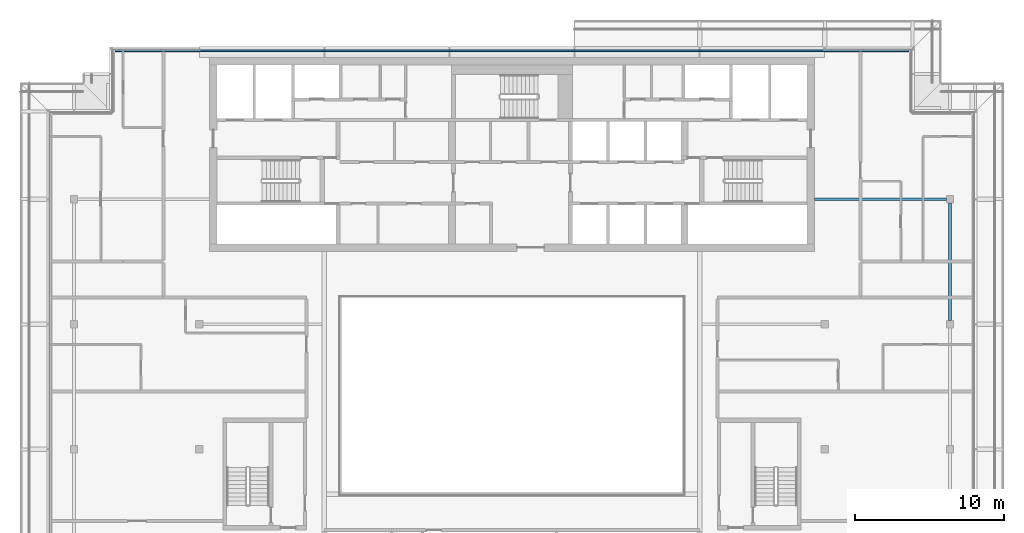
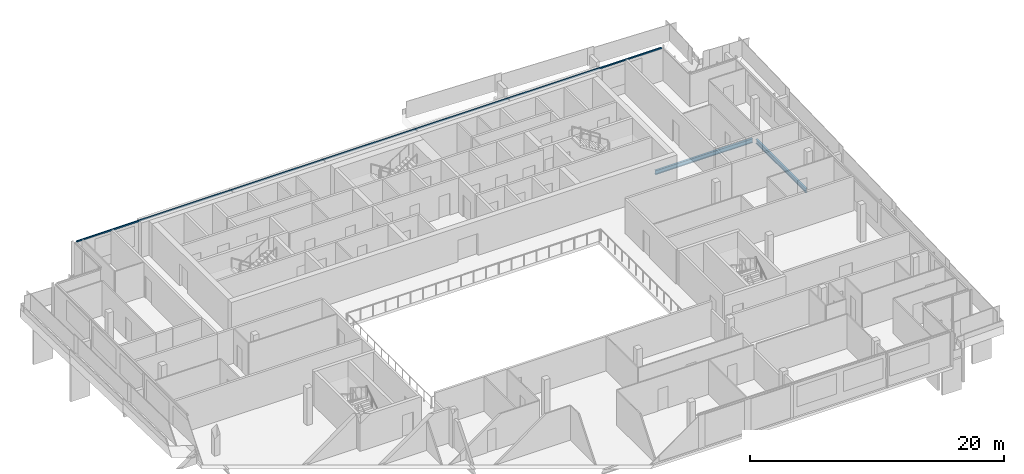
# One storey, part 9 of 27: 2 beams, 1 member, 1 element without a shape of its own.
"""IFC4 building model written with IfcOpenShell, lengths in metres."""

from ifc_helpers import new_model, si_unit, direction, frame, origin, origin_2d, place, context, subcontext, project, spatial, rectangle, i_section, extrude, material, material_profile, profile_set, type_object, element, aggregate, save


model = new_model("IFC4")

# Units and contexts
model_context = context("Model", 3, precision=1e-05, world=origin(), true_north=direction((0.0, 1.0)))
body_context = subcontext(model_context, "Body", "Model", "MODEL_VIEW")
ifc_project = project(units=[si_unit("LENGTHUNIT", "METRE"), si_unit("AREAUNIT", "SQUARE_METRE"), si_unit("VOLUMEUNIT", "CUBIC_METRE"), si_unit("PLANEANGLEUNIT", "RADIAN"), si_unit("MASSUNIT", "GRAM", prefix="KILO")], contexts=[model_context])

# Site, building, storey
site_placement = place(None, origin())
site = spatial("IfcSite", under=ifc_project, at=site_placement, CompositionType="ELEMENT")
building_placement = place(site_placement, origin())
building = spatial("IfcBuilding", under=site, at=building_placement, Name="Saffron Gate Tower", CompositionType="ELEMENT")
storey_placement = place(building_placement, frame((0.0, 0.0, 274.35009765625)))
storey = spatial("IfcBuildingStorey", under=building, at=storey_placement, Name="L66", CompositionType="ELEMENT", Elevation=274.35009765625)

# Beams
ifc_material_1 = material(Name="Structural steel S355", Category="steel")
ifc_material_profile_1 = material_profile(ifc_material_1, i_section(OverallWidth=0.179931640625, OverallDepth=0.39990234375, WebThickness=0.008544921875, FlangeThickness=0.013427734375, FilletRadius=0.02099609375, at=origin_2d()))
ifc_profile_set_1 = profile_set([ifc_material_profile_1], Name="Structural steel S355")
beam_type_1 = type_object("IfcBeamType", Name="B4 IPE 400", PredefinedType="BEAM", material=ifc_profile_set_1)
beam_1_placement = place(storey_placement, frame((116.75, 65.39990234375, -0.47998046875), z_axis=(-1.0, 0.0, 0.0), x_axis=(0.0, -1.0, 0.0)))
element("IfcBeam", 1, at=beam_1_placement, inside=storey, type_object=beam_type_1, Name="B4 CORE TIE BEAM", PredefinedType="BEAM", context=body_context, shape_type="SweptSolid", body=[
    extrude(i_section(OverallWidth=0.179931640625, OverallDepth=0.39990234375, WebThickness=0.008544921875, FlangeThickness=0.013427734375, FilletRadius=0.02099609375, at=origin_2d()), origin(), (0.0, 0.0, 1.0), 8.85009765625),
])
ifc_material_profile_2 = material_profile(ifc_material_1, i_section(OverallWidth=0.179931640625, OverallDepth=0.39990234375, WebThickness=0.008544921875, FlangeThickness=0.013427734375, FilletRadius=0.02099609375, at=origin_2d()))
ifc_profile_set_2 = profile_set([ifc_material_profile_2], Name="Structural steel S355")
beam_type_2 = type_object("IfcBeamType", Name="B5 IPE 400", PredefinedType="SPANDREL", material=ifc_profile_set_2)
beam_2_placement = place(storey_placement, frame((117.0, 57.25, -0.47998046875), z_axis=(0.0, 1.0, 0.0), x_axis=(-1.0, 0.0, 0.0)))
element("IfcBeam", 2, at=beam_2_placement, inside=storey, type_object=beam_type_2, Name="B5 SPANDREL BEAM", PredefinedType="SPANDREL", context=body_context, shape_type="SweptSolid", body=[
    extrude(i_section(OverallWidth=0.179931640625, OverallDepth=0.39990234375, WebThickness=0.008544921875, FlangeThickness=0.013427734375, FilletRadius=0.02099609375, at=origin_2d()), origin(), (0.0, 0.0, 1.0), 7.89990234375),
])

# Curtain wall, member
ifc_material_2 = material(Name="Aluminium, bronze anodised", Category="aluminium")
curtain_wall_type = type_object("IfcCurtainWallType", Name="CWS3 curtain wall rear facade", PredefinedType="NOTDEFINED", material=ifc_material_2)
curtain_wall_placement = place(storey_placement, origin())
curtain_wall = element("IfcCurtainWall", 3, at=curtain_wall_placement, inside=storey, type_object=curtain_wall_type, Name="CWS3 run 7", PredefinedType="NOTDEFINED")
ifc_material_profile_3 = material_profile(ifc_material_2, rectangle(XDim=0.1201171875, YDim=0.1201171875, at=origin_2d()))
ifc_profile_set_3 = profile_set([ifc_material_profile_3], Name="Aluminium, bronze anodised")
member_type = type_object("IfcMemberType", Name="CWS3 head transom", PredefinedType="USERDEFINED", material=ifc_profile_set_3)
member_placement = place(storey_placement, frame((114.23193359375, 75.35205078125, 3.260009765625), z_axis=(-1.0, 0.0, 0.0), x_axis=(0.0, -1.0, 0.0)))
member = element("IfcMember", 4, at=member_placement, type_object=member_type, Name="CWS3 head transom", ObjectType="TRANSOM", PredefinedType="USERDEFINED", context=body_context, shape_type="SweptSolid", body=[
    extrude(rectangle(XDim=0.1201171875, YDim=0.1201171875, at=origin_2d()), origin(), (0.0, 0.0, 1.0), 53.263916015625),
])
aggregate(curtain_wall, [member])

save(model, "model.ifc")
